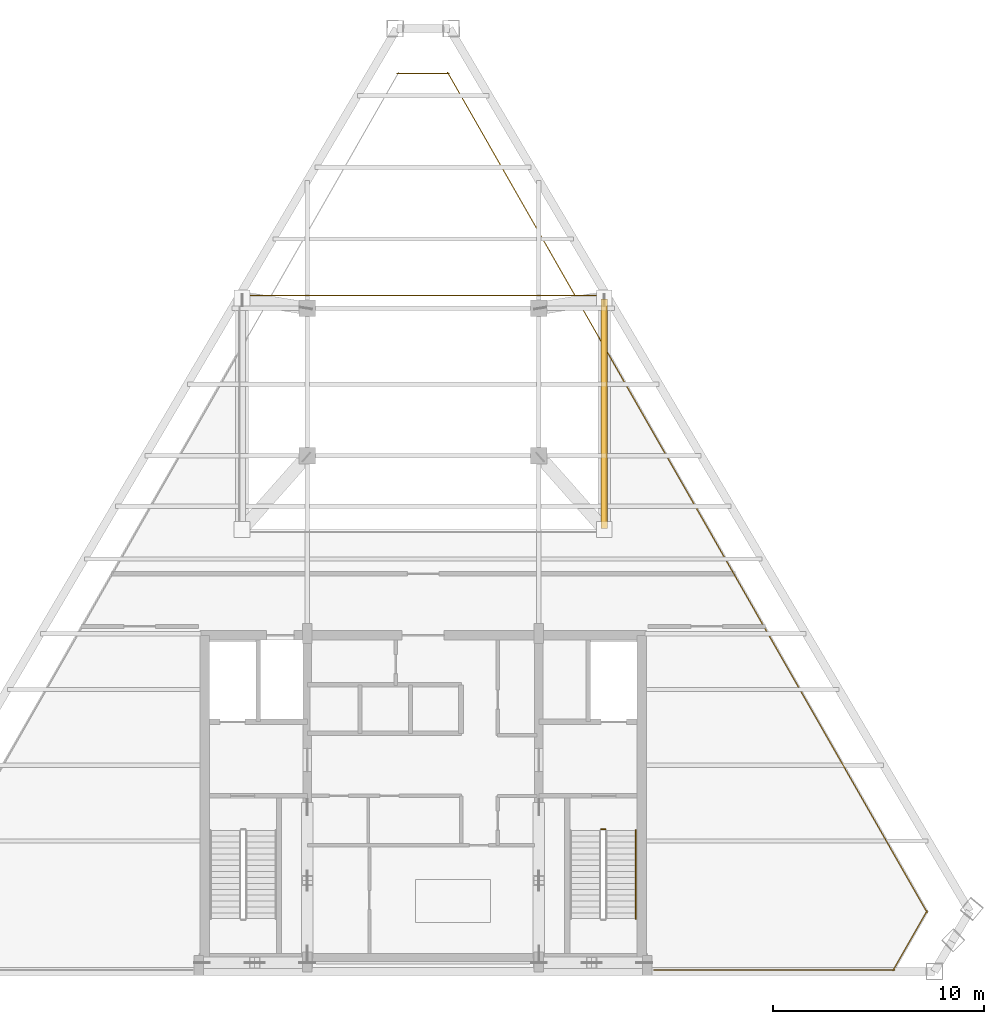
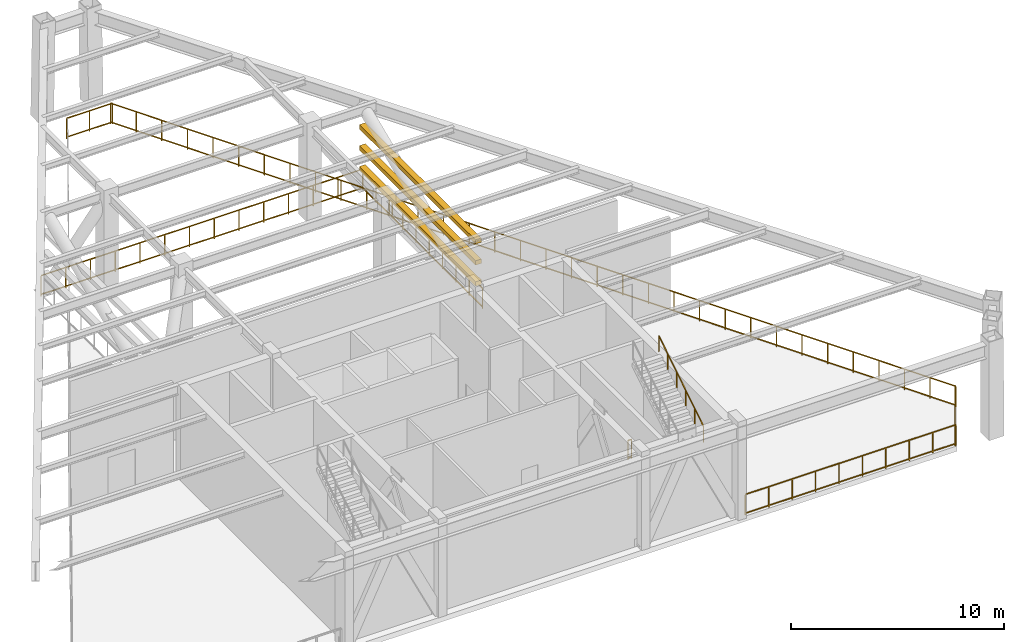
# One storey, part 6 of 6: 8 railings, 3 shading devices.
"""IFC4 building model written with IfcOpenShell, lengths in metres."""

from ifc_helpers import new_model, si_unit, direction, frame, origin, origin_2d, place, context, subcontext, project, spatial, rectangle, extrude, source, transform, mapped, material, type_object, type_shapes, element, save


model = new_model("IFC4")

# Units and contexts
model_context = context("Model", 3, precision=1e-05, world=origin(), true_north=direction((0.0, 1.0)))
body_context = subcontext(model_context, "Body", "Model", "MODEL_VIEW")
ifc_project = project(units=[si_unit("LENGTHUNIT", "METRE"), si_unit("AREAUNIT", "SQUARE_METRE"), si_unit("VOLUMEUNIT", "CUBIC_METRE"), si_unit("PLANEANGLEUNIT", "RADIAN"), si_unit("MASSUNIT", "GRAM", prefix="KILO")], contexts=[model_context])

# Site, building, storey
site_placement = place(None, origin())
site = spatial("IfcSite", under=ifc_project, at=site_placement, CompositionType="ELEMENT")
building_placement = place(site_placement, origin())
building = spatial("IfcBuilding", under=site, at=building_placement, Name="Varnakhor Terracotta Tower", CompositionType="ELEMENT")
storey_placement = place(building_placement, frame((0.0, 0.0, 304.050048828125)))
storey = spatial("IfcBuildingStorey", under=building, at=storey_placement, Name="L80", CompositionType="ELEMENT", Elevation=304.050048828125)

# Railings
ifc_material_1 = material(Name="Painted Steel Stairwell Guardrail", Category="steel")
railing_type_1 = type_object("IfcRailingType", Name="RLG-STAIR-GUARD-1120", PredefinedType="GUARDRAIL", material=ifc_material_1)
railing_1_placement = place(storey_placement, frame((8.449951171875, 6.760009765625, 0.0)))
element("IfcRailing", 1, at=railing_1_placement, inside=storey, type_object=railing_type_1, Name="L80 ST-2 stair guard 4", PredefinedType="GUARDRAIL", context=body_context, shape_type="SweptSolid", body=[
    extrude(rectangle(XDim=0.048095703125, YDim=0.048095703125, at=origin_2d()), frame((0.0, 0.0, 1.09619140625), z_axis=(1.0, 0.0, 0.0), x_axis=(0.0, 1.0, 0.0)), (0.0, 0.0, 1.0), 0.199951171875),
    extrude(rectangle(XDim=0.048095703125, YDim=0.048095703125, at=origin_2d()), frame((0.0, 0.0, 0.10009765625), z_axis=(1.0, 0.0, 0.0), x_axis=(0.0, 1.0, 0.0)), (0.0, 0.0, 1.0), 0.199951171875),
    extrude(rectangle(XDim=0.0419921875, YDim=0.0419921875, at=origin_2d()), origin(), (0.0, 0.0, 1.0), 1.072021484375),
    extrude(rectangle(XDim=0.0419921875, YDim=0.0419921875, at=origin_2d()), frame((0.199951171875, 0.0, 0.0)), (0.0, 0.0, 1.0), 1.072021484375),
])
ifc_material_2 = material(Name="Brushed Stainless Steel Handrail", Category="steel")
railing_type_2 = type_object("IfcRailingType", Name="RLG-STAIR-HANDRAIL-920", PredefinedType="HANDRAIL", material=ifc_material_2)
railing_2_placement = place(storey_placement, frame((10.10009765625, 2.510009765625, 3.00146484375)))
element("IfcRailing", 2, at=railing_2_placement, inside=storey, type_object=railing_type_2, Name="L80 ST-2 stair handrail 2", PredefinedType="HANDRAIL", context=body_context, shape_type="SweptSolid", body=[
    extrude(rectangle(XDim=0.048095703125, YDim=0.048095703125, at=origin_2d()), frame((0.0, 0.0, 0.89599609375), z_axis=(0.0, 0.845867248983, 0.533393473055), x_axis=(-1.0, 0.0, 0.0)), (0.0, 0.0, 1.0), 4.96533203125),
    extrude(rectangle(XDim=0.0419921875, YDim=0.0419921875, at=origin_2d()), origin(), (0.0, 0.0, 1.0), 0.871826171875),
    extrude(rectangle(XDim=0.0419921875, YDim=0.0419921875, at=origin_2d()), frame((0.0, 0.840087890625, 0.52978515625)), (0.0, 0.0, 1.0), 0.871826171875),
    extrude(rectangle(XDim=0.0419921875, YDim=0.0419921875, at=origin_2d()), frame((0.0, 1.679931640625, 1.059326171875)), (0.0, 0.0, 1.0), 0.871826171875),
    extrude(rectangle(XDim=0.0419921875, YDim=0.0419921875, at=origin_2d()), frame((0.0, 2.52001953125, 1.589111328125)), (0.0, 0.0, 1.0), 0.871826171875),
    extrude(rectangle(XDim=0.0419921875, YDim=0.0419921875, at=origin_2d()), frame((0.0, 3.35986328125, 2.11865234375)), (0.0, 0.0, 1.0), 0.871826171875),
    extrude(rectangle(XDim=0.0419921875, YDim=0.0419921875, at=origin_2d()), frame((0.0, 4.199951171875, 2.6484375)), (0.0, 0.0, 1.0), 0.871826171875),
])
ifc_material_3 = material(Name="Terracotta & Brushed Steel Balustrade", Category="masonry")
railing_type_3 = type_object("IfcRailingType", Name="RLG-TERRACE-GUARD-1200", PredefinedType="BALUSTRADE", material=ifc_material_3)
railing_3_placement = place(storey_placement, frame((-1.23486328125, 42.665283203125, 0.0)))
element("IfcRailing", 3, at=railing_3_placement, inside=storey, type_object=railing_type_3, Name="L80 Open Floor Perimeter Guard 2", PredefinedType="BALUSTRADE", context=body_context, shape_type="SweptSolid", body=[
    extrude(rectangle(XDim=0.048095703125, YDim=0.048095703125, at=origin_2d()), frame((0.0, 0.0, 1.17578125), z_axis=(1.0, 0.0, 0.0), x_axis=(0.0, 1.0, 0.0)), (0.0, 0.0, 1.0), 2.4697265625),
    extrude(rectangle(XDim=0.048095703125, YDim=0.048095703125, at=origin_2d()), frame((0.0, 0.0, 0.10009765625), z_axis=(1.0, 0.0, 0.0), x_axis=(0.0, 1.0, 0.0)), (0.0, 0.0, 1.0), 2.4697265625),
    extrude(rectangle(XDim=0.0419921875, YDim=0.0419921875, at=origin_2d()), origin(), (0.0, 0.0, 1.0), 1.15185546875),
    extrude(rectangle(XDim=0.0419921875, YDim=0.0419921875, at=origin_2d()), frame((1.23486328125, 0.0, 0.0)), (0.0, 0.0, 1.0), 1.15185546875),
    extrude(rectangle(XDim=0.0419921875, YDim=0.0419921875, at=origin_2d()), frame((2.4697265625, 0.0, 0.0)), (0.0, 0.0, 1.0), 1.15185546875),
])
railing_4_placement = place(storey_placement, frame((1.165283203125, 42.70556640625, 0.0)))
element("IfcRailing", 4, at=railing_4_placement, inside=storey, type_object=railing_type_3, Name="L80 Open Floor Perimeter Guard 3", PredefinedType="BALUSTRADE", context=body_context, shape_type="SweptSolid", body=[
    extrude(rectangle(XDim=0.048095703125, YDim=0.048095703125, at=origin_2d()), frame((0.0, 0.0, 1.17578125), z_axis=(0.495738252632, -0.868471982782, 0.0), x_axis=(0.868471982782, 0.495738252632, 0.0)), (0.0, 0.0, 1.0), 45.9384765625),
    extrude(rectangle(XDim=0.048095703125, YDim=0.048095703125, at=origin_2d()), frame((0.0, 0.0, 0.10009765625), z_axis=(0.495738252632, -0.868471982782, 0.0), x_axis=(0.868471982782, 0.495738252632, 0.0)), (0.0, 0.0, 1.0), 45.9384765625),
    extrude(rectangle(XDim=0.0419921875, YDim=0.0419921875, at=origin_2d()), origin(), (0.0, 0.0, 1.0), 1.15185546875),
    extrude(rectangle(XDim=0.0419921875, YDim=0.0419921875, at=origin_2d()), frame((0.690185546875, -1.208984375, 0.0)), (0.0, 0.0, 1.0), 1.15185546875),
    extrude(rectangle(XDim=0.0419921875, YDim=0.0419921875, at=origin_2d()), frame((1.380126953125, -2.41796875, 0.0)), (0.0, 0.0, 1.0), 1.15185546875),
    extrude(rectangle(XDim=0.0419921875, YDim=0.0419921875, at=origin_2d()), frame((2.0703125, -3.626953125, 0.0)), (0.0, 0.0, 1.0), 1.15185546875),
    extrude(rectangle(XDim=0.0419921875, YDim=0.0419921875, at=origin_2d()), frame((2.760498046875, -4.8359375, 0.0)), (0.0, 0.0, 1.0), 1.15185546875),
    extrude(rectangle(XDim=0.0419921875, YDim=0.0419921875, at=origin_2d()), frame((3.450439453125, -6.044921875, 0.0)), (0.0, 0.0, 1.0), 1.15185546875),
    extrude(rectangle(XDim=0.0419921875, YDim=0.0419921875, at=origin_2d()), frame((4.140625, -7.25390625, 0.0)), (0.0, 0.0, 1.0), 1.15185546875),
    extrude(rectangle(XDim=0.0419921875, YDim=0.0419921875, at=origin_2d()), frame((4.830810546875, -8.462890625, 0.0)), (0.0, 0.0, 1.0), 1.15185546875),
    extrude(rectangle(XDim=0.0419921875, YDim=0.0419921875, at=origin_2d()), frame((5.520751953125, -9.671875, 0.0)), (0.0, 0.0, 1.0), 1.15185546875),
    extrude(rectangle(XDim=0.0419921875, YDim=0.0419921875, at=origin_2d()), frame((6.2109375, -10.880859375, 0.0)), (0.0, 0.0, 1.0), 1.15185546875),
    extrude(rectangle(XDim=0.0419921875, YDim=0.0419921875, at=origin_2d()), frame((6.901123046875, -12.08984375, 0.0)), (0.0, 0.0, 1.0), 1.15185546875),
    extrude(rectangle(XDim=0.0419921875, YDim=0.0419921875, at=origin_2d()), frame((7.591064453125, -13.298828125, 0.0)), (0.0, 0.0, 1.0), 1.15185546875),
    extrude(rectangle(XDim=0.0419921875, YDim=0.0419921875, at=origin_2d()), frame((8.28125, -14.5078125, 0.0)), (0.0, 0.0, 1.0), 1.15185546875),
    extrude(rectangle(XDim=0.0419921875, YDim=0.0419921875, at=origin_2d()), frame((8.971435546875, -15.716796875, 0.0)), (0.0, 0.0, 1.0), 1.15185546875),
    extrude(rectangle(XDim=0.0419921875, YDim=0.0419921875, at=origin_2d()), frame((9.661376953125, -16.92578125, 0.0)), (0.0, 0.0, 1.0), 1.15185546875),
    extrude(rectangle(XDim=0.0419921875, YDim=0.0419921875, at=origin_2d()), frame((10.3515625, -18.134765625, 0.0)), (0.0, 0.0, 1.0), 1.15185546875),
    extrude(rectangle(XDim=0.0419921875, YDim=0.0419921875, at=origin_2d()), frame((11.041748046875, -19.34375, 0.0)), (0.0, 0.0, 1.0), 1.15185546875),
    extrude(rectangle(XDim=0.0419921875, YDim=0.0419921875, at=origin_2d()), frame((11.731689453125, -20.552490234375, 0.0)), (0.0, 0.0, 1.0), 1.15185546875),
    extrude(rectangle(XDim=0.0419921875, YDim=0.0419921875, at=origin_2d()), frame((12.421875, -21.761474609375, 0.0)), (0.0, 0.0, 1.0), 1.15185546875),
    extrude(rectangle(XDim=0.0419921875, YDim=0.0419921875, at=origin_2d()), frame((13.112060546875, -22.970458984375, 0.0)), (0.0, 0.0, 1.0), 1.15185546875),
    extrude(rectangle(XDim=0.0419921875, YDim=0.0419921875, at=origin_2d()), frame((13.802001953125, -24.179443359375, 0.0)), (0.0, 0.0, 1.0), 1.15185546875),
    extrude(rectangle(XDim=0.0419921875, YDim=0.0419921875, at=origin_2d()), frame((14.4921875, -25.388427734375, 0.0)), (0.0, 0.0, 1.0), 1.15185546875),
    extrude(rectangle(XDim=0.0419921875, YDim=0.0419921875, at=origin_2d()), frame((15.182373046875, -26.597412109375, 0.0)), (0.0, 0.0, 1.0), 1.15185546875),
    extrude(rectangle(XDim=0.0419921875, YDim=0.0419921875, at=origin_2d()), frame((15.872314453125, -27.806396484375, 0.0)), (0.0, 0.0, 1.0), 1.15185546875),
    extrude(rectangle(XDim=0.0419921875, YDim=0.0419921875, at=origin_2d()), frame((16.5625, -29.015380859375, 0.0)), (0.0, 0.0, 1.0), 1.15185546875),
    extrude(rectangle(XDim=0.0419921875, YDim=0.0419921875, at=origin_2d()), frame((17.252685546875, -30.224365234375, 0.0)), (0.0, 0.0, 1.0), 1.15185546875),
    extrude(rectangle(XDim=0.0419921875, YDim=0.0419921875, at=origin_2d()), frame((17.942626953125, -31.433349609375, 0.0)), (0.0, 0.0, 1.0), 1.15185546875),
    extrude(rectangle(XDim=0.0419921875, YDim=0.0419921875, at=origin_2d()), frame((18.6328125, -32.642333984375, 0.0)), (0.0, 0.0, 1.0), 1.15185546875),
    extrude(rectangle(XDim=0.0419921875, YDim=0.0419921875, at=origin_2d()), frame((19.322998046875, -33.851318359375, 0.0)), (0.0, 0.0, 1.0), 1.15185546875),
    extrude(rectangle(XDim=0.0419921875, YDim=0.0419921875, at=origin_2d()), frame((20.012939453125, -35.060302734375, 0.0)), (0.0, 0.0, 1.0), 1.15185546875),
    extrude(rectangle(XDim=0.0419921875, YDim=0.0419921875, at=origin_2d()), frame((20.703125, -36.269287109375, 0.0)), (0.0, 0.0, 1.0), 1.15185546875),
    extrude(rectangle(XDim=0.0419921875, YDim=0.0419921875, at=origin_2d()), frame((21.393310546875, -37.478271484375, 0.0)), (0.0, 0.0, 1.0), 1.15185546875),
    extrude(rectangle(XDim=0.0419921875, YDim=0.0419921875, at=origin_2d()), frame((22.083251953125, -38.687255859375, 0.0)), (0.0, 0.0, 1.0), 1.15185546875),
    extrude(rectangle(XDim=0.0419921875, YDim=0.0419921875, at=origin_2d()), frame((22.7734375, -39.896240234375, 0.0)), (0.0, 0.0, 1.0), 1.15185546875),
])
railing_5_placement = place(storey_placement, frame((23.938720703125, 2.888916015625, 0.0)))
element("IfcRailing", 5, at=railing_5_placement, inside=storey, type_object=railing_type_3, Name="L80 Open Floor Perimeter Guard 4", PredefinedType="BALUSTRADE", context=body_context, shape_type="SweptSolid", body=[
    extrude(rectangle(XDim=0.048095703125, YDim=0.048095703125, at=origin_2d()), frame((0.0, 0.0, 1.17578125), z_axis=(-0.495714110387, -0.868485763132, 0.0), x_axis=(0.868485763132, -0.495714110387, 0.0)), (0.0, 0.0, 1.0), 3.280517578125),
    extrude(rectangle(XDim=0.048095703125, YDim=0.048095703125, at=origin_2d()), frame((0.0, 0.0, 0.10009765625), z_axis=(-0.495714110387, -0.868485763132, 0.0), x_axis=(0.868485763132, -0.495714110387, 0.0)), (0.0, 0.0, 1.0), 3.280517578125),
    extrude(rectangle(XDim=0.0419921875, YDim=0.0419921875, at=origin_2d()), origin(), (0.0, 0.0, 1.0), 1.15185546875),
    extrude(rectangle(XDim=0.0419921875, YDim=0.0419921875, at=origin_2d()), frame((-0.5419921875, -0.94970703125, 0.0)), (0.0, 0.0, 1.0), 1.15185546875),
    extrude(rectangle(XDim=0.0419921875, YDim=0.0419921875, at=origin_2d()), frame((-1.084228515625, -1.8994140625, 0.0)), (0.0, 0.0, 1.0), 1.15185546875),
    extrude(rectangle(XDim=0.0419921875, YDim=0.0419921875, at=origin_2d()), frame((-1.626220703125, -2.84912109375, 0.0)), (0.0, 0.0, 1.0), 1.15185546875),
])
railing_6_placement = place(storey_placement, frame((22.3818359375, 0.080078125, 0.0)))
element("IfcRailing", 6, at=railing_6_placement, inside=storey, type_object=railing_type_3, Name="L80 Open Refuge Perimeter Guard SE", PredefinedType="BALUSTRADE", context=body_context, shape_type="SweptSolid", body=[
    extrude(rectangle(XDim=0.048095703125, YDim=0.048095703125, at=origin_2d()), frame((0.0, 0.0, 1.17578125), z_axis=(-1.0, 0.0, 0.0), x_axis=(0.0, -1.0, 0.0)), (0.0, 0.0, 1.0), 11.421875),
    extrude(rectangle(XDim=0.048095703125, YDim=0.048095703125, at=origin_2d()), frame((0.0, 0.0, 0.10009765625), z_axis=(-1.0, 0.0, 0.0), x_axis=(0.0, -1.0, 0.0)), (0.0, 0.0, 1.0), 11.421875),
    extrude(rectangle(XDim=0.0419921875, YDim=0.0419921875, at=origin_2d()), origin(), (0.0, 0.0, 1.0), 1.15185546875),
    extrude(rectangle(XDim=0.0419921875, YDim=0.0419921875, at=origin_2d()), frame((-1.26904296875, 0.0, 0.0)), (0.0, 0.0, 1.0), 1.15185546875),
    extrude(rectangle(XDim=0.0419921875, YDim=0.0419921875, at=origin_2d()), frame((-2.5380859375, 0.0, 0.0)), (0.0, 0.0, 1.0), 1.15185546875),
    extrude(rectangle(XDim=0.0419921875, YDim=0.0419921875, at=origin_2d()), frame((-3.807373046875, 0.0, 0.0)), (0.0, 0.0, 1.0), 1.15185546875),
    extrude(rectangle(XDim=0.0419921875, YDim=0.0419921875, at=origin_2d()), frame((-5.076416015625, 0.0, 0.0)), (0.0, 0.0, 1.0), 1.15185546875),
    extrude(rectangle(XDim=0.0419921875, YDim=0.0419921875, at=origin_2d()), frame((-6.345458984375, 0.0, 0.0)), (0.0, 0.0, 1.0), 1.15185546875),
    extrude(rectangle(XDim=0.0419921875, YDim=0.0419921875, at=origin_2d()), frame((-7.614501953125, 0.0, 0.0)), (0.0, 0.0, 1.0), 1.15185546875),
    extrude(rectangle(XDim=0.0419921875, YDim=0.0419921875, at=origin_2d()), frame((-8.8837890625, 0.0, 0.0)), (0.0, 0.0, 1.0), 1.15185546875),
    extrude(rectangle(XDim=0.0419921875, YDim=0.0419921875, at=origin_2d()), frame((-10.15283203125, 0.0, 0.0)), (0.0, 0.0, 1.0), 1.15185546875),
    extrude(rectangle(XDim=0.0419921875, YDim=0.0419921875, at=origin_2d()), frame((-11.421875, 0.0, 0.0)), (0.0, 0.0, 1.0), 1.15185546875),
])
railing_7_placement = place(storey_placement, frame((8.719970703125, 20.8798828125, 0.0)))
element("IfcRailing", 7, at=railing_7_placement, inside=storey, type_object=railing_type_3, Name="L80 Wind-Turbine Portal Guard 2", PredefinedType="BALUSTRADE", context=body_context, shape_type="SweptSolid", body=[
    extrude(rectangle(XDim=0.048095703125, YDim=0.048095703125, at=origin_2d()), frame((0.0, 0.0, 1.17578125), z_axis=(0.0, 1.0, 0.0), x_axis=(-1.0, 0.0, 0.0)), (0.0, 0.0, 1.0), 11.240234375),
    extrude(rectangle(XDim=0.048095703125, YDim=0.048095703125, at=origin_2d()), frame((0.0, 0.0, 0.10009765625), z_axis=(0.0, 1.0, 0.0), x_axis=(-1.0, 0.0, 0.0)), (0.0, 0.0, 1.0), 11.240234375),
    extrude(rectangle(XDim=0.0419921875, YDim=0.0419921875, at=origin_2d()), origin(), (0.0, 0.0, 1.0), 1.15185546875),
    extrude(rectangle(XDim=0.0419921875, YDim=0.0419921875, at=origin_2d()), frame((0.0, 1.2490234375, 0.0)), (0.0, 0.0, 1.0), 1.15185546875),
    extrude(rectangle(XDim=0.0419921875, YDim=0.0419921875, at=origin_2d()), frame((0.0, 2.497802734375, 0.0)), (0.0, 0.0, 1.0), 1.15185546875),
    extrude(rectangle(XDim=0.0419921875, YDim=0.0419921875, at=origin_2d()), frame((0.0, 3.746826171875, 0.0)), (0.0, 0.0, 1.0), 1.15185546875),
    extrude(rectangle(XDim=0.0419921875, YDim=0.0419921875, at=origin_2d()), frame((0.0, 4.99560546875, 0.0)), (0.0, 0.0, 1.0), 1.15185546875),
    extrude(rectangle(XDim=0.0419921875, YDim=0.0419921875, at=origin_2d()), frame((0.0, 6.24462890625, 0.0)), (0.0, 0.0, 1.0), 1.15185546875),
    extrude(rectangle(XDim=0.0419921875, YDim=0.0419921875, at=origin_2d()), frame((0.0, 7.493408203125, 0.0)), (0.0, 0.0, 1.0), 1.15185546875),
    extrude(rectangle(XDim=0.0419921875, YDim=0.0419921875, at=origin_2d()), frame((0.0, 8.742431640625, 0.0)), (0.0, 0.0, 1.0), 1.15185546875),
    extrude(rectangle(XDim=0.0419921875, YDim=0.0419921875, at=origin_2d()), frame((0.0, 9.9912109375, 0.0)), (0.0, 0.0, 1.0), 1.15185546875),
    extrude(rectangle(XDim=0.0419921875, YDim=0.0419921875, at=origin_2d()), frame((0.0, 11.240234375, 0.0)), (0.0, 0.0, 1.0), 1.15185546875),
])
railing_8_placement = place(storey_placement, frame((8.719970703125, 32.1201171875, 0.0)))
element("IfcRailing", 8, at=railing_8_placement, inside=storey, type_object=railing_type_3, Name="L80 Wind-Turbine Portal Guard 3", PredefinedType="BALUSTRADE", context=body_context, shape_type="SweptSolid", body=[
    extrude(rectangle(XDim=0.048095703125, YDim=0.048095703125, at=origin_2d()), frame((0.0, 0.0, 1.17578125), z_axis=(-1.0, 0.0, 0.0), x_axis=(0.0, -1.0, 0.0)), (0.0, 0.0, 1.0), 17.43994140625),
    extrude(rectangle(XDim=0.048095703125, YDim=0.048095703125, at=origin_2d()), frame((0.0, 0.0, 0.10009765625), z_axis=(-1.0, 0.0, 0.0), x_axis=(0.0, -1.0, 0.0)), (0.0, 0.0, 1.0), 17.43994140625),
    extrude(rectangle(XDim=0.0419921875, YDim=0.0419921875, at=origin_2d()), origin(), (0.0, 0.0, 1.0), 1.15185546875),
    extrude(rectangle(XDim=0.0419921875, YDim=0.0419921875, at=origin_2d()), frame((-1.341552734375, 0.0, 0.0)), (0.0, 0.0, 1.0), 1.15185546875),
    extrude(rectangle(XDim=0.0419921875, YDim=0.0419921875, at=origin_2d()), frame((-2.68310546875, 0.0, 0.0)), (0.0, 0.0, 1.0), 1.15185546875),
    extrude(rectangle(XDim=0.0419921875, YDim=0.0419921875, at=origin_2d()), frame((-4.024658203125, 0.0, 0.0)), (0.0, 0.0, 1.0), 1.15185546875),
    extrude(rectangle(XDim=0.0419921875, YDim=0.0419921875, at=origin_2d()), frame((-5.3662109375, 0.0, 0.0)), (0.0, 0.0, 1.0), 1.15185546875),
    extrude(rectangle(XDim=0.0419921875, YDim=0.0419921875, at=origin_2d()), frame((-6.707763671875, 0.0, 0.0)), (0.0, 0.0, 1.0), 1.15185546875),
    extrude(rectangle(XDim=0.0419921875, YDim=0.0419921875, at=origin_2d()), frame((-8.04931640625, 0.0, 0.0)), (0.0, 0.0, 1.0), 1.15185546875),
    extrude(rectangle(XDim=0.0419921875, YDim=0.0419921875, at=origin_2d()), frame((-9.390625, 0.0, 0.0)), (0.0, 0.0, 1.0), 1.15185546875),
    extrude(rectangle(XDim=0.0419921875, YDim=0.0419921875, at=origin_2d()), frame((-10.732177734375, 0.0, 0.0)), (0.0, 0.0, 1.0), 1.15185546875),
    extrude(rectangle(XDim=0.0419921875, YDim=0.0419921875, at=origin_2d()), frame((-12.07373046875, 0.0, 0.0)), (0.0, 0.0, 1.0), 1.15185546875),
    extrude(rectangle(XDim=0.0419921875, YDim=0.0419921875, at=origin_2d()), frame((-13.415283203125, 0.0, 0.0)), (0.0, 0.0, 1.0), 1.15185546875),
    extrude(rectangle(XDim=0.0419921875, YDim=0.0419921875, at=origin_2d()), frame((-14.7568359375, 0.0, 0.0)), (0.0, 0.0, 1.0), 1.15185546875),
    extrude(rectangle(XDim=0.0419921875, YDim=0.0419921875, at=origin_2d()), frame((-16.098388671875, 0.0, 0.0)), (0.0, 0.0, 1.0), 1.15185546875),
    extrude(rectangle(XDim=0.0419921875, YDim=0.0419921875, at=origin_2d()), frame((-17.43994140625, 0.0, 0.0)), (0.0, 0.0, 1.0), 1.15185546875),
])

# Shading devices
ifc_material_4 = material(Name="Anodised Aluminium Sand-Trap Louvre", Category="aluminium")
shading_device_type = type_object("IfcShadingDeviceType", Name="SAND ATTENUATING LOUVRE", PredefinedType="JALOUSIE", material=ifc_material_4)
shared_shape = source(origin(), body_context, "Body", "SweptSolid", [
    extrude(rectangle(XDim=0.320068359375, YDim=10.89990234375, at=origin_2d()), origin(), (0.0, 0.0, 1.0), 0.25),
])
type_shapes(shading_device_type, [shared_shape])
for number, where, z_axis, x_axis, name in (
    (9, (8.60009765625, 26.5, 1.27490234375), (0.0, 0.0, 1.0), (1.0, 0.0, 0.0), "L80 Wind-Slot Sand Louvre E1"),
    (10, (8.60009765625, 26.5, 2.474853515625), (0.0, 0.0, 1.0), (1.0, 0.0, 0.0), "L80 Wind-Slot Sand Louvre E2"),
    (11, (8.60009765625, 26.5, 3.675048828125), (0.0, 0.0, 1.0), (1.0, 0.0, 0.0), "L80 Wind-Slot Sand Louvre E3"),
):
    element("IfcShadingDevice", number, at=place(storey_placement, frame(where, z_axis=z_axis, x_axis=x_axis)), inside=storey, type_object=shading_device_type, Name=name, PredefinedType="JALOUSIE", context=body_context, shape_type="MappedRepresentation", body=[
        mapped(shared_shape, transform((0.0, 0.0, 0.0), scale=1.0)),
    ])

save(model, "model.ifc")
